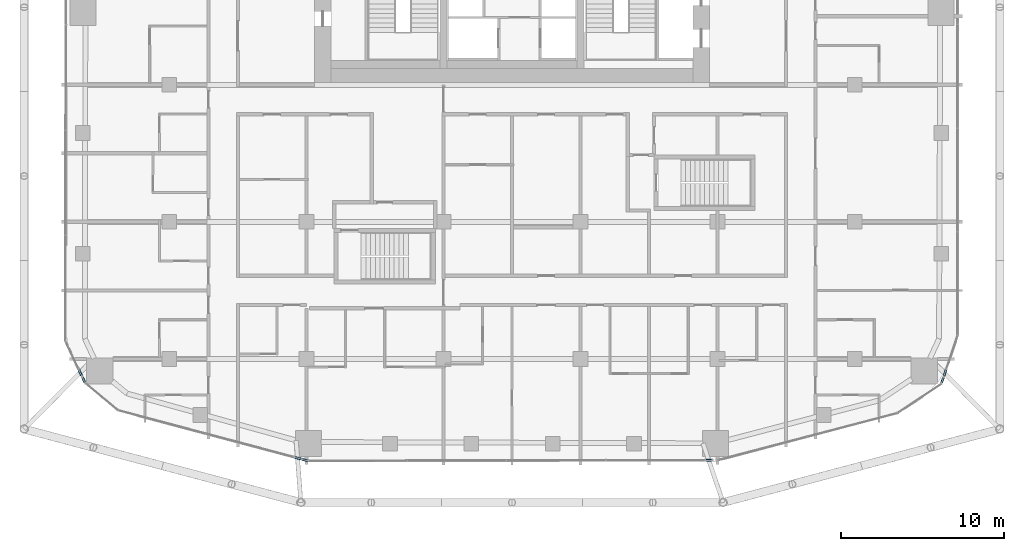
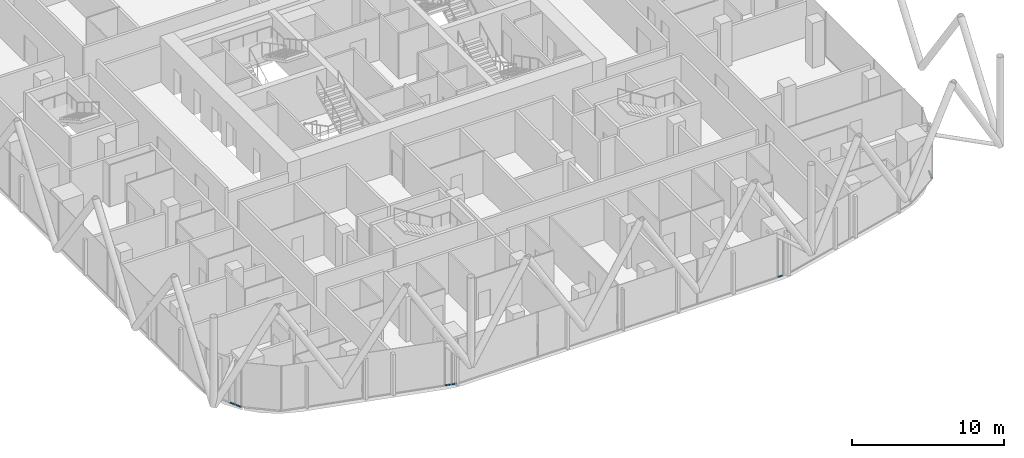
# One storey, part 15 of 33: 7 members, 7 elements without a shape of their own.
"""IFC4 building model written with IfcOpenShell, lengths in metres."""

from ifc_helpers import new_model, si_unit, direction, frame, origin, origin_2d, place, context, subcontext, project, spatial, rectangle, extrude, material, layer, layer_set, material_profile, profile_set, type_object, element, aggregate, save


model = new_model("IFC4")

# Units and contexts
model_context = context("Model", 3, precision=1e-05, world=origin(), true_north=direction((0.0, 1.0)))
body_context = subcontext(model_context, "Body", "Model", "MODEL_VIEW")
ifc_project = project(units=[si_unit("LENGTHUNIT", "METRE"), si_unit("AREAUNIT", "SQUARE_METRE"), si_unit("VOLUMEUNIT", "CUBIC_METRE"), si_unit("PLANEANGLEUNIT", "RADIAN"), si_unit("MASSUNIT", "GRAM", prefix="KILO")], contexts=[model_context])

# Site, building, storey
site_placement = place(None, origin())
site = spatial("IfcSite", under=ifc_project, at=site_placement, CompositionType="ELEMENT")
building_placement = place(site_placement, origin())
building = spatial("IfcBuilding", under=site, at=building_placement, Name="Marenta Gate Hotel Tower", CompositionType="ELEMENT")
storey_placement = place(building_placement, frame((0.0, 0.0, 151.699951171875)))
storey = spatial("IfcBuildingStorey", under=building, at=storey_placement, Name="L35", CompositionType="ELEMENT", Elevation=151.699951171875)

# Curtain wall, member
ifc_material_1 = material(Name="Tinted insulated glass in bronze anodised frame", Category="glass")
ifc_layer = layer(ifc_material_1, 0.1201171875)
ifc_layer_set = layer_set([ifc_layer], Name="Tinted insulated glass in bronze anodised frame")
curtain_wall_type = type_object("IfcCurtainWallType", Name="Tower unitised curtain wall CW1", PredefinedType="NOTDEFINED", material=ifc_layer_set)
curtain_wall_1_placement = place(storey_placement, origin())
curtain_wall_1 = element("IfcCurtainWall", 1, at=curtain_wall_1_placement, inside=storey, type_object=curtain_wall_type, Name="CW1 run G06", PredefinedType="NOTDEFINED")
ifc_material_2 = material(Name="Bronze anodised aluminium", Category="aluminium")
ifc_material_profile = material_profile(ifc_material_2, rectangle(XDim=0.1201171875, YDim=0.06005859375, at=origin_2d()), Name="Transom CW1 60x120 bronze anodised aluminium")
ifc_profile_set = profile_set([ifc_material_profile], Name="Bronze anodised aluminium")
member_type = type_object("IfcMemberType", Name="Transom CW1 60x120 bronze anodised aluminium", PredefinedType="USERDEFINED", material=ifc_profile_set)
member_1_placement = place(storey_placement, frame((-26.544189453125, -17.4677734375, 0.030029296875), z_axis=(0.423960267339, -0.905680789085, 0.0), x_axis=(0.905680789085, 0.423960267339, 0.0)))
member_1 = element("IfcMember", 2, at=member_1_placement, type_object=member_type, Name="CW1 transom 1.1", ObjectType="TRANSOM", PredefinedType="USERDEFINED", context=body_context, shape_type="SweptSolid", body=[
    extrude(rectangle(XDim=0.1201171875, YDim=0.06005859375, at=origin_2d()), origin(), (0.0, 0.0, 1.0), 0.422607421875),
])
aggregate(curtain_wall_1, [member_1])

curtain_wall_2_placement = place(storey_placement, origin())
curtain_wall_2 = element("IfcCurtainWall", 3, at=curtain_wall_2_placement, inside=storey, type_object=curtain_wall_type, Name="CW1 run G07", PredefinedType="NOTDEFINED")
member_2_placement = place(storey_placement, frame((-26.339599609375, -17.905029296875, 0.030029296875), z_axis=(0.42295417161, -0.906151073893, 0.0), x_axis=(0.906151073893, 0.42295417161, 0.0)))
member_2 = element("IfcMember", 4, at=member_2_placement, type_object=member_type, Name="CW1 transom 1.1", ObjectType="TRANSOM", PredefinedType="USERDEFINED", context=body_context, shape_type="SweptSolid", body=[
    extrude(rectangle(XDim=0.1201171875, YDim=0.06005859375, at=origin_2d()), origin(), (0.0, 0.0, 1.0), 0.38916015625),
])
aggregate(curtain_wall_2, [member_2])

curtain_wall_3_placement = place(storey_placement, origin())
curtain_wall_3 = element("IfcCurtainWall", 5, at=curtain_wall_3_placement, inside=storey, type_object=curtain_wall_type, Name="CW1 run G10", PredefinedType="NOTDEFINED")
member_3_placement = place(storey_placement, frame((-13.3193359375, -22.8310546875, 0.030029296875), z_axis=(0.966369996674, -0.257155652336, 0.0), x_axis=(0.257155652336, 0.966369996674, 0.0)))
member_3 = element("IfcMember", 6, at=member_3_placement, type_object=member_type, Name="CW1 transom 1.1", ObjectType="TRANSOM", PredefinedType="USERDEFINED", context=body_context, shape_type="SweptSolid", body=[
    extrude(rectangle(XDim=0.1201171875, YDim=0.06005859375, at=origin_2d()), origin(), (0.0, 0.0, 1.0), 0.419677734375),
])
aggregate(curtain_wall_3, [member_3])

curtain_wall_4_placement = place(storey_placement, origin())
curtain_wall_4 = element("IfcCurtainWall", 7, at=curtain_wall_4_placement, inside=storey, type_object=curtain_wall_type, Name="CW1 run G11", PredefinedType="NOTDEFINED")
member_4_placement = place(storey_placement, frame((-12.855712890625, -22.954345703125, 0.030029296875), z_axis=(0.96625731902, -0.257578713095, 0.0), x_axis=(0.257578713095, 0.96625731902, 0.0)))
member_4 = element("IfcMember", 8, at=member_4_placement, type_object=member_type, Name="CW1 transom 1.1", ObjectType="TRANSOM", PredefinedType="USERDEFINED", context=body_context, shape_type="SweptSolid", body=[
    extrude(rectangle(XDim=0.1201171875, YDim=0.06005859375, at=origin_2d()), origin(), (0.0, 0.0, 1.0), 0.362060546875),
])
aggregate(curtain_wall_4, [member_4])

curtain_wall_5_placement = place(storey_placement, origin())
curtain_wall_5 = element("IfcCurtainWall", 9, at=curtain_wall_5_placement, inside=storey, type_object=curtain_wall_type, Name="CW1 run G13", PredefinedType="NOTDEFINED")
member_5_placement = place(storey_placement, frame((11.881591796875, -23.01416015625, 0.030029296875), z_axis=(0.999999071937, 0.001362396556, 0.0), x_axis=(-0.001362396556, 0.999999071937, 0.0)))
member_5 = element("IfcMember", 10, at=member_5_placement, type_object=member_type, Name="CW1 transom 1.1", ObjectType="TRANSOM", PredefinedType="USERDEFINED", context=body_context, shape_type="SweptSolid", body=[
    extrude(rectangle(XDim=0.1201171875, YDim=0.06005859375, at=origin_2d()), origin(), (0.0, 0.0, 1.0), 0.3583984375),
])
aggregate(curtain_wall_5, [member_5])

curtain_wall_6_placement = place(storey_placement, origin())
curtain_wall_6 = element("IfcCurtainWall", 11, at=curtain_wall_6_placement, inside=storey, type_object=curtain_wall_type, Name="CW1 run G16", PredefinedType="NOTDEFINED")
member_6_placement = place(storey_placement, frame((26.32421875, -18.27783203125, 0.030029296875), z_axis=(0.322187955567, 0.946675721294, 0.0), x_axis=(-0.946675721294, 0.322187955567, 0.0)))
member_6 = element("IfcMember", 12, at=member_6_placement, type_object=member_type, Name="CW1 transom 1.1", ObjectType="TRANSOM", PredefinedType="USERDEFINED", context=body_context, shape_type="SweptSolid", body=[
    extrude(rectangle(XDim=0.1201171875, YDim=0.06005859375, at=origin_2d()), origin(), (0.0, 0.0, 1.0), 0.3681640625),
])
aggregate(curtain_wall_6, [member_6])

curtain_wall_7_placement = place(storey_placement, origin())
curtain_wall_7 = element("IfcCurtainWall", 13, at=curtain_wall_7_placement, inside=storey, type_object=curtain_wall_type, Name="CW1 run G17", PredefinedType="NOTDEFINED")
member_7_placement = place(storey_placement, frame((26.462158203125, -17.872314453125, 0.030029296875), z_axis=(0.321804616278, 0.946806098915, 0.0), x_axis=(-0.946806098915, 0.321804616278, 0.0)))
member_7 = element("IfcMember", 14, at=member_7_placement, type_object=member_type, Name="CW1 transom 1.1", ObjectType="TRANSOM", PredefinedType="USERDEFINED", context=body_context, shape_type="SweptSolid", body=[
    extrude(rectangle(XDim=0.1201171875, YDim=0.06005859375, at=origin_2d()), origin(), (0.0, 0.0, 1.0), 0.446044921875),
])
aggregate(curtain_wall_7, [member_7])

save(model, "model.ifc")
